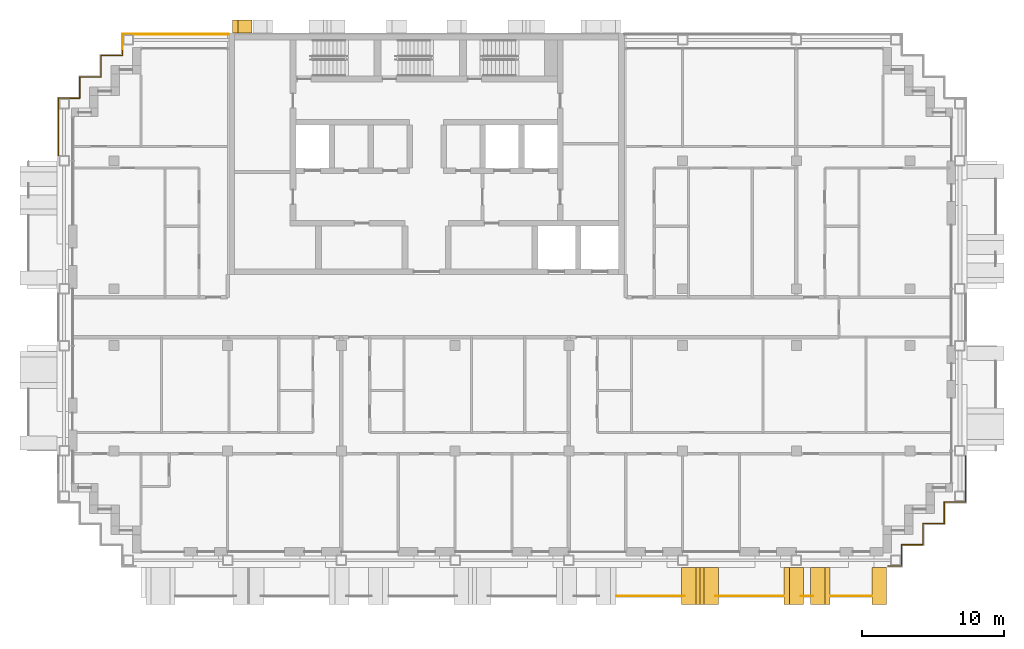
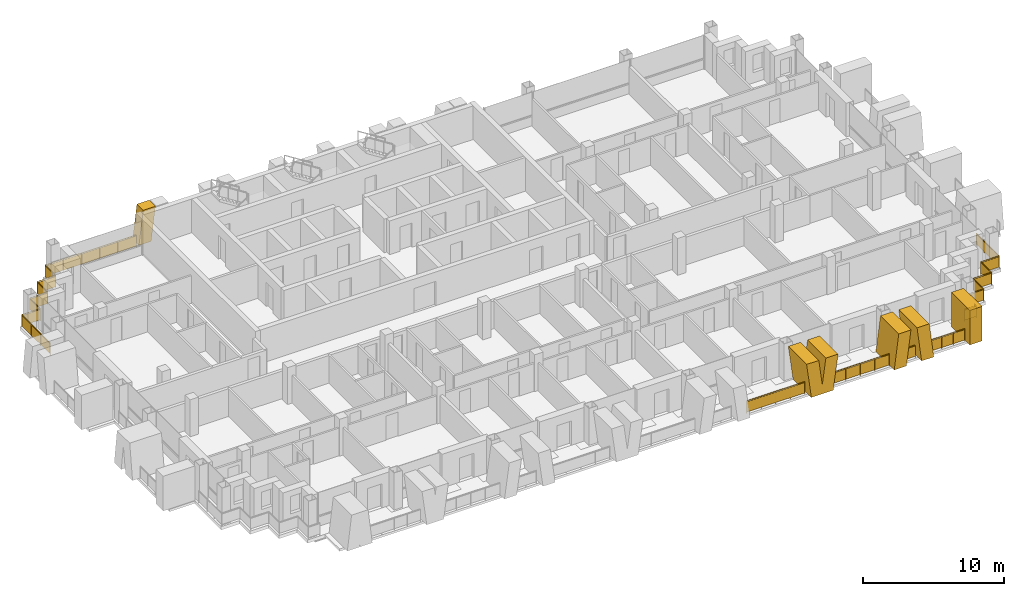
# One storey, part 14 of 16: 8 railings, 5 shading devices.
"""IFC4 building model written with IfcOpenShell, lengths in metres."""

from ifc_helpers import new_model, si_unit, direction, frame, origin, origin_2d, place, context, subcontext, project, spatial, polyline, rectangle, circle, outline, extrude, material, layer, layer_set, type_object, element, save


model = new_model("IFC4")

# Units and contexts
model_context = context("Model", 3, precision=1e-05, world=origin(), true_north=direction((0.0, 1.0)))
body_context = subcontext(model_context, "Body", "Model", "MODEL_VIEW")
ifc_project = project(units=[si_unit("LENGTHUNIT", "METRE"), si_unit("AREAUNIT", "SQUARE_METRE"), si_unit("VOLUMEUNIT", "CUBIC_METRE"), si_unit("PLANEANGLEUNIT", "RADIAN"), si_unit("MASSUNIT", "GRAM", prefix="KILO")], contexts=[model_context])

# Site, building, storey
site_placement = place(None, origin())
site = spatial("IfcSite", under=ifc_project, at=site_placement, CompositionType="ELEMENT")
building_placement = place(site_placement, origin())
building = spatial("IfcBuilding", under=site, at=building_placement, Name="Vidyagriha Tower", CompositionType="ELEMENT")
storey_placement = place(building_placement, frame((0.0, 0.0, 168.5)))
storey = spatial("IfcBuildingStorey", under=building, at=storey_placement, Name="L43", CompositionType="ELEMENT", Elevation=168.5)

# Railings
ifc_material_1 = material(Name="Steel ASTM A500 Grade C black painted", Category="steel")
railing_type_1 = type_object("IfcRailingType", Name="Balcony guard 1100", PredefinedType="BALUSTRADE", material=ifc_material_1)
railing_1_placement = place(storey_placement, frame((13.35498046875, -19.60009765625, 0.0)))
element("IfcRailing", 1, at=railing_1_placement, inside=storey, type_object=railing_type_1, Name="Balcony guard L43 R23.1-7", PredefinedType="BALUSTRADE", context=body_context, shape_type="SweptSolid", body=[
    extrude(circle(Radius=0.02490234375, at=origin_2d()), frame((0.0, 0.0, 1.0751953125), z_axis=(1.0, 0.0, 0.0), x_axis=(0.0, 1.0, 0.0)), (0.0, 0.0, 1.0), 4.773681640625),
    extrude(circle(Radius=0.02001953125, at=origin_2d()), origin(), (0.0, 0.0, 1.0), 1.050048828125),
    extrude(circle(Radius=0.02001953125, at=origin_2d()), frame((1.193359375, 0.0, 0.0)), (0.0, 0.0, 1.0), 1.050048828125),
    extrude(circle(Radius=0.02001953125, at=origin_2d()), frame((2.38671875, 0.0, 0.0)), (0.0, 0.0, 1.0), 1.050048828125),
    extrude(circle(Radius=0.02001953125, at=origin_2d()), frame((3.580322265625, 0.0, 0.0)), (0.0, 0.0, 1.0), 1.050048828125),
    extrude(circle(Radius=0.02001953125, at=origin_2d()), frame((4.773681640625, 0.0, 0.0)), (0.0, 0.0, 1.0), 1.050048828125),
    extrude(rectangle(XDim=0.010009765625, YDim=0.900146484375, at=origin_2d()), frame((0.0, 0.0, 0.550048828125), z_axis=(1.0, 0.0, 0.0), x_axis=(0.0, 1.0, 0.0)), (0.0, 0.0, 1.0), 4.773681640625),
])
railing_2_placement = place(storey_placement, frame((20.321533203125, -19.60009765625, 0.0)))
element("IfcRailing", 2, at=railing_2_placement, inside=storey, type_object=railing_type_1, Name="Balcony guard L43 R23.1-8", PredefinedType="BALUSTRADE", context=body_context, shape_type="SweptSolid", body=[
    extrude(circle(Radius=0.02490234375, at=origin_2d()), frame((0.0, 0.0, 1.0751953125), z_axis=(1.0, 0.0, 0.0), x_axis=(0.0, 1.0, 0.0)), (0.0, 0.0, 1.0), 4.75341796875),
    extrude(circle(Radius=0.02001953125, at=origin_2d()), origin(), (0.0, 0.0, 1.0), 1.050048828125),
    extrude(circle(Radius=0.02001953125, at=origin_2d()), frame((1.1884765625, 0.0, 0.0)), (0.0, 0.0, 1.0), 1.050048828125),
    extrude(circle(Radius=0.02001953125, at=origin_2d()), frame((2.376708984375, 0.0, 0.0)), (0.0, 0.0, 1.0), 1.050048828125),
    extrude(circle(Radius=0.02001953125, at=origin_2d()), frame((3.56494140625, 0.0, 0.0)), (0.0, 0.0, 1.0), 1.050048828125),
    extrude(circle(Radius=0.02001953125, at=origin_2d()), frame((4.75341796875, 0.0, 0.0)), (0.0, 0.0, 1.0), 1.050048828125),
    extrude(rectangle(XDim=0.010009765625, YDim=0.900146484375, at=origin_2d()), frame((0.0, 0.0, 0.550048828125), z_axis=(1.0, 0.0, 0.0), x_axis=(0.0, 1.0, 0.0)), (0.0, 0.0, 1.0), 4.75341796875),
])
railing_3_placement = place(storey_placement, frame((26.31884765625, -19.60009765625, 0.0)))
element("IfcRailing", 3, at=railing_3_placement, inside=storey, type_object=railing_type_1, Name="Balcony guard L43 R23.1-9", PredefinedType="BALUSTRADE", context=body_context, shape_type="SweptSolid", body=[
    extrude(circle(Radius=0.02490234375, at=origin_2d()), frame((0.0, 0.0, 1.0751953125), z_axis=(1.0, 0.0, 0.0), x_axis=(0.0, 1.0, 0.0)), (0.0, 0.0, 1.0), 0.8623046875),
    extrude(circle(Radius=0.02001953125, at=origin_2d()), origin(), (0.0, 0.0, 1.0), 1.050048828125),
    extrude(circle(Radius=0.02001953125, at=origin_2d()), frame((0.8623046875, 0.0, 0.0)), (0.0, 0.0, 1.0), 1.050048828125),
    extrude(rectangle(XDim=0.010009765625, YDim=0.900146484375, at=origin_2d()), frame((0.0, 0.0, 0.550048828125), z_axis=(1.0, 0.0, 0.0), x_axis=(0.0, 1.0, 0.0)), (0.0, 0.0, 1.0), 0.8623046875),
])
railing_4_placement = place(storey_placement, frame((28.425048828125, -19.60009765625, 0.0)))
element("IfcRailing", 4, at=railing_4_placement, inside=storey, type_object=railing_type_1, Name="Balcony guard L43 R23.1-10", PredefinedType="BALUSTRADE", context=body_context, shape_type="SweptSolid", body=[
    extrude(circle(Radius=0.02490234375, at=origin_2d()), frame((0.0, 0.0, 1.0751953125), z_axis=(1.0, 0.0, 0.0), x_axis=(0.0, 1.0, 0.0)), (0.0, 0.0, 1.0), 2.849853515625),
    extrude(circle(Radius=0.02001953125, at=origin_2d()), origin(), (0.0, 0.0, 1.0), 1.050048828125),
    extrude(circle(Radius=0.02001953125, at=origin_2d()), frame((0.949951171875, 0.0, 0.0)), (0.0, 0.0, 1.0), 1.050048828125),
    extrude(circle(Radius=0.02001953125, at=origin_2d()), frame((1.89990234375, 0.0, 0.0)), (0.0, 0.0, 1.0), 1.050048828125),
    extrude(circle(Radius=0.02001953125, at=origin_2d()), frame((2.849853515625, 0.0, 0.0)), (0.0, 0.0, 1.0), 1.050048828125),
    extrude(rectangle(XDim=0.010009765625, YDim=0.900146484375, at=origin_2d()), frame((0.0, 0.0, 0.550048828125), z_axis=(1.0, 0.0, 0.0), x_axis=(0.0, 1.0, 0.0)), (0.0, 0.0, 1.0), 2.849853515625),
])

# Shading devices
ifc_material_2 = material(Name="Precast concrete C40/50 with buff brick facing", Category="concrete")
ifc_layer_1 = layer(ifc_material_2, 1.0)
ifc_layer_set_1 = layer_set([ifc_layer_1], Name="Precast concrete C40/50 with buff brick facing")
shading_device_type_1 = type_object("IfcShadingDeviceType", Name="Brick-faced blade fin arm leaning 8 degrees", PredefinedType="USERDEFINED", material=ifc_layer_set_1)
shading_device_1_placement = place(storey_placement, frame((25.125, -18.89990234375, 0.0)))
element("IfcShadingDevice", 5, at=shading_device_1_placement, inside=storey, type_object=shading_device_type_1, Name="Leaning blade fin L43 R23.4610a", ObjectType="BLADE FIN", PredefinedType="USERDEFINED", context=body_context, shape_type="SweptSolid", body=[
    extrude(outline(polyline([(0.0, 0.0), (1.0, 0.0), (1.375, 3.0), (0.375, 3.0), (0.0, 0.0)])), frame((0.0, 1.300048828125, 0.0), z_axis=(0.0, -1.0, 0.0), x_axis=(1.0, 0.0, 0.0)), (0.0, 0.0, 1.0), 2.60009765625),
])
shading_device_2_placement = place(storey_placement, frame((27.0, -18.89990234375, 0.0)))
element("IfcShadingDevice", 6, at=shading_device_2_placement, inside=storey, type_object=shading_device_type_1, Name="Leaning blade fin L43 R23.4610b", ObjectType="BLADE FIN", PredefinedType="USERDEFINED", context=body_context, shape_type="SweptSolid", body=[
    extrude(outline(polyline([(0.375, 0.0), (1.375, 0.0), (1.0, 3.0), (0.0, 3.0), (0.375, 0.0)])), frame((0.0, 1.300048828125, 0.0), z_axis=(0.0, -1.0, 0.0), x_axis=(1.0, 0.0, 0.0)), (0.0, 0.0, 1.0), 2.60009765625),
])
ifc_material_3 = material(Name="Precast concrete C40/50 with buff brick facing", Category="concrete")
ifc_layer_2 = layer(ifc_material_3, 1.0)
ifc_layer_set_2 = layer_set([ifc_layer_2], Name="Precast concrete C40/50 with buff brick facing")
shading_device_type_2 = type_object("IfcShadingDeviceType", Name="Brick-faced blade fin forking 8 degrees", PredefinedType="USERDEFINED", material=ifc_layer_set_2)
shading_device_3_placement = place(storey_placement, frame((17.93505859375, -18.89990234375, 0.0)))
element("IfcShadingDevice", 7, at=shading_device_3_placement, inside=storey, type_object=shading_device_type_2, Name="Forked blade fin L43 R23.3810a", ObjectType="BLADE FIN", PredefinedType="USERDEFINED", context=body_context, shape_type="SweptSolid", body=[
    extrude(outline(polyline([(0.39501953125, 0.0), (2.18505859375, 0.0), (2.580078125, 3.0), (1.580078125, 3.0), (1.2900390625, 0.797607421875), (1.0, 3.0), (0.0, 3.0), (0.39501953125, 0.0)])), frame((0.0, 1.300048828125, 0.0), z_axis=(0.0, -1.0, 0.0), x_axis=(1.0, 0.0, 0.0)), (0.0, 0.0, 1.0), 2.60009765625),
])
ifc_material_4 = material(Name="Precast concrete C40/50 with buff brick facing", Category="concrete")
ifc_layer_3 = layer(ifc_material_4, 1.0)
ifc_layer_set_3 = layer_set([ifc_layer_3], Name="Precast concrete C40/50 with buff brick facing")
shading_device_type_3 = type_object("IfcShadingDeviceType", Name="Brick-faced blade fin stem 1000", PredefinedType="USERDEFINED", material=ifc_layer_set_3)
shading_device_4_placement = place(storey_placement, frame((31.324951171875, -18.89990234375, 0.0)))
element("IfcShadingDevice", 8, at=shading_device_4_placement, inside=storey, type_object=shading_device_type_3, Name="Stem blade fin L43 R23.5220a", ObjectType="BLADE FIN", PredefinedType="USERDEFINED", context=body_context, shape_type="SweptSolid", body=[
    extrude(outline(polyline([(0.0, 0.0), (1.0, 0.0), (1.0, 3.0), (0.0, 3.0), (0.0, 0.0)])), frame((0.0, 1.300048828125, 0.0), z_axis=(0.0, -1.0, 0.0), x_axis=(1.0, 0.0, 0.0)), (0.0, 0.0, 1.0), 2.60009765625),
])
ifc_material_5 = material(Name="Precast concrete C40/50 with brick facing", Category="concrete")
ifc_layer_4 = layer(ifc_material_5, 1.0)
ifc_layer_set_4 = layer_set([ifc_layer_4], Name="Precast concrete C40/50 with brick facing")
shading_device_type_4 = type_object("IfcShadingDeviceType", Name="Brick-faced rear rib arm leaning 8 degrees", PredefinedType="USERDEFINED", material=ifc_layer_set_4)
shading_device_5_placement = place(storey_placement, frame((-12.28564453125, 20.449951171875, 0.0), z_axis=(0.0, 0.0, 1.0), x_axis=(-1.0, 0.0, 0.0)))
element("IfcShadingDevice", 9, at=shading_device_5_placement, inside=storey, type_object=shading_device_type_4, Name="Rear rib arm L43 R08.5b", ObjectType="BLADE FIN", PredefinedType="USERDEFINED", context=body_context, shape_type="SweptSolid", body=[
    extrude(outline(polyline([(0.357177734375, 0.0), (1.357177734375, 0.0), (1.0, 2.919921875), (0.0, 2.919921875), (0.357177734375, 0.0)])), frame((0.0, 0.449951171875, 0.0), z_axis=(0.0, -1.0, 0.0), x_axis=(1.0, 0.0, 0.0)), (0.0, 0.0, 1.0), 0.89990234375),
])

# Railings
ifc_material_6 = material(Name="Steel ASTM A500 Grade C black painted", Category="steel")
railing_type_2 = type_object("IfcRailingType", Name="Gallery guard 1100", PredefinedType="GUARDRAIL", material=ifc_material_6)
railing_5_placement = place(storey_placement, frame((-25.89990234375, 11.360107421875, 0.0)))
element("IfcRailing", 10, at=railing_5_placement, inside=storey, type_object=railing_type_2, Name="Gallery guard L43 4", PredefinedType="GUARDRAIL", context=body_context, shape_type="SweptSolid", body=[
    extrude(circle(Radius=0.02490234375, at=origin_2d()), frame((0.0, 0.0, 1.0751953125), z_axis=(0.0, 1.0, 0.0), x_axis=(-1.0, 0.0, 0.0)), (0.0, 0.0, 1.0), 4.039794921875),
    extrude(circle(Radius=0.02490234375, at=origin_2d()), frame((0.0, 4.039794921875, 1.0751953125), z_axis=(1.0, 0.0, 0.0), x_axis=(0.0, 1.0, 0.0)), (0.0, 0.0, 1.0), 1.5),
    extrude(circle(Radius=0.02490234375, at=origin_2d()), frame((1.5, 4.039794921875, 1.0751953125), z_axis=(0.0, 1.0, 0.0), x_axis=(-1.0, 0.0, 0.0)), (0.0, 0.0, 1.0), 1.5),
    extrude(circle(Radius=0.02490234375, at=origin_2d()), frame((1.5, 5.539794921875, 1.0751953125), z_axis=(1.0, 0.0, 0.0), x_axis=(0.0, 1.0, 0.0)), (0.0, 0.0, 1.0), 1.5),
    extrude(circle(Radius=0.02490234375, at=origin_2d()), frame((3.0, 5.539794921875, 1.0751953125), z_axis=(0.0, 1.0, 0.0), x_axis=(-1.0, 0.0, 0.0)), (0.0, 0.0, 1.0), 1.5),
    extrude(circle(Radius=0.02490234375, at=origin_2d()), frame((3.0, 7.039794921875, 1.0751953125), z_axis=(1.0, 0.0, 0.0), x_axis=(0.0, 1.0, 0.0)), (0.0, 0.0, 1.0), 1.5),
    extrude(circle(Radius=0.02490234375, at=origin_2d()), frame((4.5, 7.039794921875, 1.0751953125), z_axis=(0.0, 1.0, 0.0), x_axis=(-1.0, 0.0, 0.0)), (0.0, 0.0, 1.0), 0.460205078125),
    extrude(circle(Radius=0.02001953125, at=origin_2d()), origin(), (0.0, 0.0, 1.0), 1.050048828125),
    extrude(circle(Radius=0.02001953125, at=origin_2d()), frame((0.0, 1.3466796875, 0.0)), (0.0, 0.0, 1.0), 1.050048828125),
    extrude(circle(Radius=0.02001953125, at=origin_2d()), frame((0.0, 2.693115234375, 0.0)), (0.0, 0.0, 1.0), 1.050048828125),
    extrude(circle(Radius=0.02001953125, at=origin_2d()), frame((0.0, 4.039794921875, 0.0)), (0.0, 0.0, 1.0), 1.050048828125),
    extrude(circle(Radius=0.02001953125, at=origin_2d()), frame((1.5, 4.039794921875, 0.0)), (0.0, 0.0, 1.0), 1.050048828125),
    extrude(circle(Radius=0.02001953125, at=origin_2d()), frame((1.5, 5.539794921875, 0.0)), (0.0, 0.0, 1.0), 1.050048828125),
    extrude(circle(Radius=0.02001953125, at=origin_2d()), frame((3.0, 5.539794921875, 0.0)), (0.0, 0.0, 1.0), 1.050048828125),
    extrude(circle(Radius=0.02001953125, at=origin_2d()), frame((3.0, 7.039794921875, 0.0)), (0.0, 0.0, 1.0), 1.050048828125),
    extrude(circle(Radius=0.02001953125, at=origin_2d()), frame((4.5, 7.039794921875, 0.0)), (0.0, 0.0, 1.0), 1.050048828125),
    extrude(circle(Radius=0.02001953125, at=origin_2d()), frame((4.5, 7.5, 0.0)), (0.0, 0.0, 1.0), 1.050048828125),
    extrude(rectangle(XDim=0.010009765625, YDim=0.900146484375, at=origin_2d()), frame((0.0, 0.0, 0.550048828125), z_axis=(0.0, 1.0, 0.0), x_axis=(-1.0, 0.0, 0.0)), (0.0, 0.0, 1.0), 4.039794921875),
    extrude(rectangle(XDim=0.010009765625, YDim=0.900146484375, at=origin_2d()), frame((0.0, 4.039794921875, 0.550048828125), z_axis=(1.0, 0.0, 0.0), x_axis=(0.0, 1.0, 0.0)), (0.0, 0.0, 1.0), 1.5),
    extrude(rectangle(XDim=0.010009765625, YDim=0.900146484375, at=origin_2d()), frame((1.5, 4.039794921875, 0.550048828125), z_axis=(0.0, 1.0, 0.0), x_axis=(-1.0, 0.0, 0.0)), (0.0, 0.0, 1.0), 1.5),
    extrude(rectangle(XDim=0.010009765625, YDim=0.900146484375, at=origin_2d()), frame((1.5, 5.539794921875, 0.550048828125), z_axis=(1.0, 0.0, 0.0), x_axis=(0.0, 1.0, 0.0)), (0.0, 0.0, 1.0), 1.5),
    extrude(rectangle(XDim=0.010009765625, YDim=0.900146484375, at=origin_2d()), frame((3.0, 5.539794921875, 0.550048828125), z_axis=(0.0, 1.0, 0.0), x_axis=(-1.0, 0.0, 0.0)), (0.0, 0.0, 1.0), 1.5),
    extrude(rectangle(XDim=0.010009765625, YDim=0.900146484375, at=origin_2d()), frame((3.0, 7.039794921875, 0.550048828125), z_axis=(1.0, 0.0, 0.0), x_axis=(0.0, 1.0, 0.0)), (0.0, 0.0, 1.0), 1.5),
    extrude(rectangle(XDim=0.010009765625, YDim=0.900146484375, at=origin_2d()), frame((4.5, 7.039794921875, 0.550048828125), z_axis=(0.0, 1.0, 0.0), x_axis=(-1.0, 0.0, 0.0)), (0.0, 0.0, 1.0), 0.460205078125),
])
railing_6_placement = place(storey_placement, frame((-21.39990234375, 18.860107421875, 0.0)))
element("IfcRailing", 11, at=railing_6_placement, inside=storey, type_object=railing_type_2, Name="Gallery guard L43 5", PredefinedType="GUARDRAIL", context=body_context, shape_type="SweptSolid", body=[
    extrude(circle(Radius=0.02490234375, at=origin_2d()), frame((0.0, 0.0, 1.0751953125), z_axis=(0.0, 1.0, 0.0), x_axis=(-1.0, 0.0, 0.0)), (0.0, 0.0, 1.0), 1.039794921875),
    extrude(circle(Radius=0.02490234375, at=origin_2d()), frame((0.0, 1.039794921875, 1.0751953125), z_axis=(1.0, 0.0, 0.0), x_axis=(0.0, 1.0, 0.0)), (0.0, 0.0, 1.0), 7.469970703125),
    extrude(circle(Radius=0.02001953125, at=origin_2d()), origin(), (0.0, 0.0, 1.0), 1.050048828125),
    extrude(circle(Radius=0.02001953125, at=origin_2d()), frame((0.0, 1.039794921875, 0.0)), (0.0, 0.0, 1.0), 1.050048828125),
    extrude(circle(Radius=0.02001953125, at=origin_2d()), frame((1.493896484375, 1.039794921875, 0.0)), (0.0, 0.0, 1.0), 1.050048828125),
    extrude(circle(Radius=0.02001953125, at=origin_2d()), frame((2.988037109375, 1.039794921875, 0.0)), (0.0, 0.0, 1.0), 1.050048828125),
    extrude(circle(Radius=0.02001953125, at=origin_2d()), frame((4.48193359375, 1.039794921875, 0.0)), (0.0, 0.0, 1.0), 1.050048828125),
    extrude(circle(Radius=0.02001953125, at=origin_2d()), frame((5.97607421875, 1.039794921875, 0.0)), (0.0, 0.0, 1.0), 1.050048828125),
    extrude(circle(Radius=0.02001953125, at=origin_2d()), frame((7.469970703125, 1.039794921875, 0.0)), (0.0, 0.0, 1.0), 1.050048828125),
    extrude(rectangle(XDim=0.010009765625, YDim=0.900146484375, at=origin_2d()), frame((0.0, 0.0, 0.550048828125), z_axis=(0.0, 1.0, 0.0), x_axis=(-1.0, 0.0, 0.0)), (0.0, 0.0, 1.0), 1.039794921875),
    extrude(rectangle(XDim=0.010009765625, YDim=0.900146484375, at=origin_2d()), frame((0.0, 1.039794921875, 0.550048828125), z_axis=(1.0, 0.0, 0.0), x_axis=(0.0, 1.0, 0.0)), (0.0, 0.0, 1.0), 7.469970703125),
])
railing_7_placement = place(storey_placement, frame((37.89990234375, -9.760009765625, 0.0)))
element("IfcRailing", 12, at=railing_7_placement, inside=storey, type_object=railing_type_2, Name="Gallery guard L43 9", PredefinedType="GUARDRAIL", context=body_context, shape_type="SweptSolid", body=[
    extrude(circle(Radius=0.02490234375, at=origin_2d()), frame((0.0, 0.0, 1.0751953125), z_axis=(0.0, -1.0, 0.0), x_axis=(1.0, 0.0, 0.0)), (0.0, 0.0, 1.0), 3.239990234375),
    extrude(circle(Radius=0.02490234375, at=origin_2d()), frame((0.0, -3.239990234375, 1.0751953125), z_axis=(-1.0, 0.0, 0.0), x_axis=(0.0, -1.0, 0.0)), (0.0, 0.0, 1.0), 1.5),
    extrude(circle(Radius=0.02490234375, at=origin_2d()), frame((-1.5, -3.239990234375, 1.0751953125), z_axis=(0.0, -1.0, 0.0), x_axis=(1.0, 0.0, 0.0)), (0.0, 0.0, 1.0), 1.5),
    extrude(circle(Radius=0.02490234375, at=origin_2d()), frame((-1.5, -4.739990234375, 1.0751953125), z_axis=(-1.0, 0.0, 0.0), x_axis=(0.0, -1.0, 0.0)), (0.0, 0.0, 1.0), 1.5),
    extrude(circle(Radius=0.02490234375, at=origin_2d()), frame((-3.0, -4.739990234375, 1.0751953125), z_axis=(0.0, -1.0, 0.0), x_axis=(1.0, 0.0, 0.0)), (0.0, 0.0, 1.0), 1.5),
    extrude(circle(Radius=0.02490234375, at=origin_2d()), frame((-3.0, -6.239990234375, 1.0751953125), z_axis=(-1.0, 0.0, 0.0), x_axis=(0.0, -1.0, 0.0)), (0.0, 0.0, 1.0), 1.5),
    extrude(circle(Radius=0.02490234375, at=origin_2d()), frame((-4.5, -6.239990234375, 1.0751953125), z_axis=(0.0, -1.0, 0.0), x_axis=(1.0, 0.0, 0.0)), (0.0, 0.0, 1.0), 1.260009765625),
    extrude(circle(Radius=0.02001953125, at=origin_2d()), origin(), (0.0, 0.0, 1.0), 1.050048828125),
    extrude(circle(Radius=0.02001953125, at=origin_2d()), frame((0.0, -1.080078125, 0.0)), (0.0, 0.0, 1.0), 1.050048828125),
    extrude(circle(Radius=0.02001953125, at=origin_2d()), frame((0.0, -2.159912109375, 0.0)), (0.0, 0.0, 1.0), 1.050048828125),
    extrude(circle(Radius=0.02001953125, at=origin_2d()), frame((0.0, -3.239990234375, 0.0)), (0.0, 0.0, 1.0), 1.050048828125),
    extrude(circle(Radius=0.02001953125, at=origin_2d()), frame((-1.5, -3.239990234375, 0.0)), (0.0, 0.0, 1.0), 1.050048828125),
    extrude(circle(Radius=0.02001953125, at=origin_2d()), frame((-1.5, -4.739990234375, 0.0)), (0.0, 0.0, 1.0), 1.050048828125),
    extrude(circle(Radius=0.02001953125, at=origin_2d()), frame((-3.0, -4.739990234375, 0.0)), (0.0, 0.0, 1.0), 1.050048828125),
    extrude(circle(Radius=0.02001953125, at=origin_2d()), frame((-3.0, -6.239990234375, 0.0)), (0.0, 0.0, 1.0), 1.050048828125),
    extrude(circle(Radius=0.02001953125, at=origin_2d()), frame((-4.5, -6.239990234375, 0.0)), (0.0, 0.0, 1.0), 1.050048828125),
    extrude(circle(Radius=0.02001953125, at=origin_2d()), frame((-4.5, -7.5, 0.0)), (0.0, 0.0, 1.0), 1.050048828125),
    extrude(rectangle(XDim=0.010009765625, YDim=0.900146484375, at=origin_2d()), frame((0.0, 0.0, 0.550048828125), z_axis=(0.0, -1.0, 0.0), x_axis=(1.0, 0.0, 0.0)), (0.0, 0.0, 1.0), 3.239990234375),
    extrude(rectangle(XDim=0.010009765625, YDim=0.900146484375, at=origin_2d()), frame((0.0, -3.239990234375, 0.550048828125), z_axis=(-1.0, 0.0, 0.0), x_axis=(0.0, -1.0, 0.0)), (0.0, 0.0, 1.0), 1.5),
    extrude(rectangle(XDim=0.010009765625, YDim=0.900146484375, at=origin_2d()), frame((-1.5, -3.239990234375, 0.550048828125), z_axis=(0.0, -1.0, 0.0), x_axis=(1.0, 0.0, 0.0)), (0.0, 0.0, 1.0), 1.5),
    extrude(rectangle(XDim=0.010009765625, YDim=0.900146484375, at=origin_2d()), frame((-1.5, -4.739990234375, 0.550048828125), z_axis=(-1.0, 0.0, 0.0), x_axis=(0.0, -1.0, 0.0)), (0.0, 0.0, 1.0), 1.5),
    extrude(rectangle(XDim=0.010009765625, YDim=0.900146484375, at=origin_2d()), frame((-3.0, -4.739990234375, 0.550048828125), z_axis=(0.0, -1.0, 0.0), x_axis=(1.0, 0.0, 0.0)), (0.0, 0.0, 1.0), 1.5),
    extrude(rectangle(XDim=0.010009765625, YDim=0.900146484375, at=origin_2d()), frame((-3.0, -6.239990234375, 0.550048828125), z_axis=(-1.0, 0.0, 0.0), x_axis=(0.0, -1.0, 0.0)), (0.0, 0.0, 1.0), 1.5),
    extrude(rectangle(XDim=0.010009765625, YDim=0.900146484375, at=origin_2d()), frame((-4.5, -6.239990234375, 0.550048828125), z_axis=(0.0, -1.0, 0.0), x_axis=(1.0, 0.0, 0.0)), (0.0, 0.0, 1.0), 1.260009765625),
])
railing_8_placement = place(storey_placement, frame((33.39990234375, -17.260009765625, 0.0)))
element("IfcRailing", 13, at=railing_8_placement, inside=storey, type_object=railing_type_2, Name="Gallery guard L43 10", PredefinedType="GUARDRAIL", context=body_context, shape_type="SweptSolid", body=[
    extrude(circle(Radius=0.02490234375, at=origin_2d()), frame((0.0, 0.0, 1.0751953125), z_axis=(0.0, -1.0, 0.0), x_axis=(1.0, 0.0, 0.0)), (0.0, 0.0, 1.0), 0.239990234375),
    extrude(circle(Radius=0.02490234375, at=origin_2d()), frame((0.0, -0.239990234375, 1.0751953125), z_axis=(-1.0, 0.0, 0.0), x_axis=(0.0, -1.0, 0.0)), (0.0, 0.0, 1.0), 0.93994140625),
    extrude(circle(Radius=0.02001953125, at=origin_2d()), origin(), (0.0, 0.0, 1.0), 1.050048828125),
    extrude(circle(Radius=0.02001953125, at=origin_2d()), frame((0.0, -0.239990234375, 0.0)), (0.0, 0.0, 1.0), 1.050048828125),
    extrude(circle(Radius=0.02001953125, at=origin_2d()), frame((-0.93994140625, -0.239990234375, 0.0)), (0.0, 0.0, 1.0), 1.050048828125),
    extrude(rectangle(XDim=0.010009765625, YDim=0.900146484375, at=origin_2d()), frame((0.0, 0.0, 0.550048828125), z_axis=(0.0, -1.0, 0.0), x_axis=(1.0, 0.0, 0.0)), (0.0, 0.0, 1.0), 0.239990234375),
    extrude(rectangle(XDim=0.010009765625, YDim=0.900146484375, at=origin_2d()), frame((0.0, -0.239990234375, 0.550048828125), z_axis=(-1.0, 0.0, 0.0), x_axis=(0.0, -1.0, 0.0)), (0.0, 0.0, 1.0), 0.93994140625),
])

save(model, "model.ifc")
